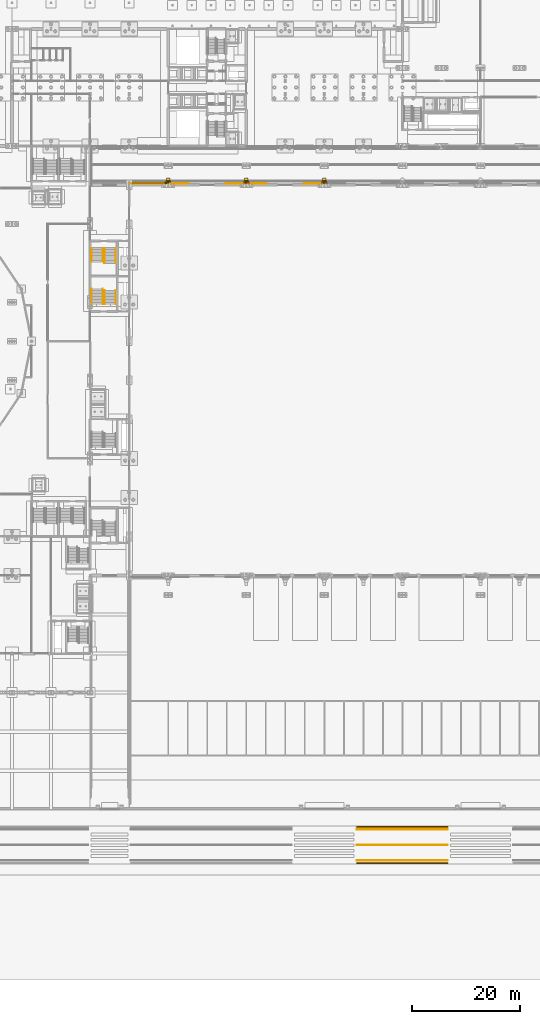
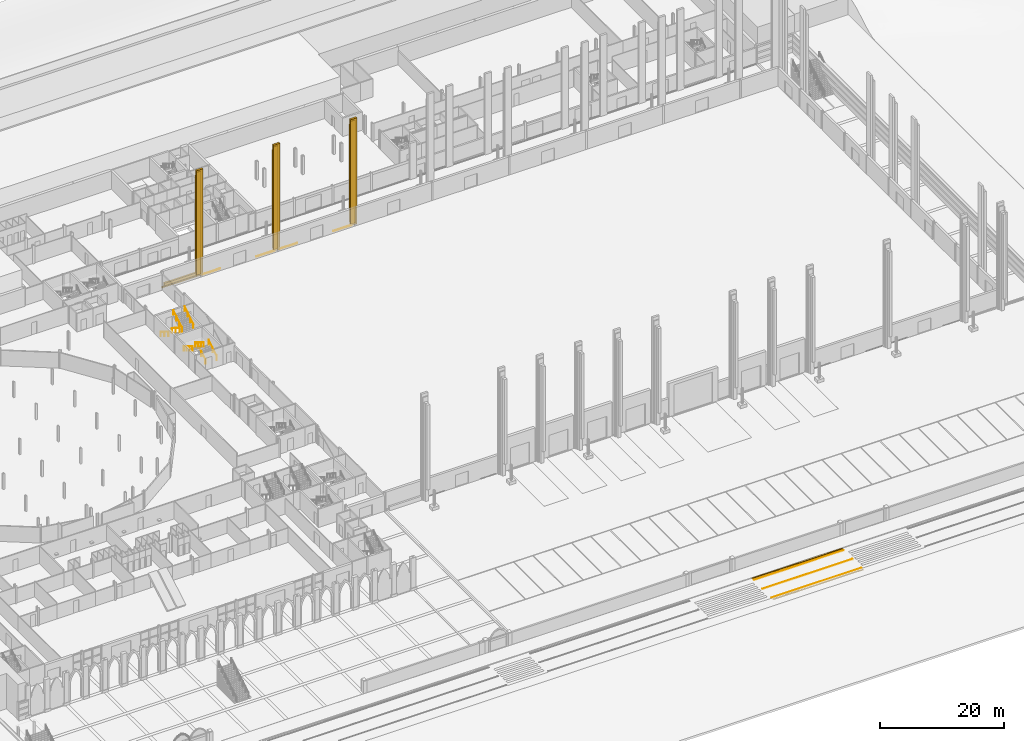
# One storey, part 127 of 148: 20 coverings, 8 railings.
"""IFC4 building model written with IfcOpenShell, lengths in metres."""

from ifc_helpers import new_model, si_unit, direction, frame, origin, origin_2d, place, context, subcontext, project, spatial, polyline, rectangle, circle, outline, extrude, material, layer, layer_set, type_object, element, save


model = new_model("IFC4")

# Units and contexts
model_context = context("Model", 3, precision=1e-05, world=origin(), true_north=direction((0.0, 1.0)))
body_context = subcontext(model_context, "Body", "Model", "MODEL_VIEW")
ifc_project = project(units=[si_unit("LENGTHUNIT", "METRE"), si_unit("AREAUNIT", "SQUARE_METRE"), si_unit("VOLUMEUNIT", "CUBIC_METRE"), si_unit("PLANEANGLEUNIT", "RADIAN"), si_unit("MASSUNIT", "GRAM", prefix="KILO")], contexts=[model_context])

# Site, building, storey
site_placement = place(None, origin())
site = spatial("IfcSite", under=ifc_project, at=site_placement, CompositionType="ELEMENT")
building_placement = place(site_placement, origin())
building = spatial("IfcBuilding", under=site, at=building_placement, Name="Kupolbacken Congress Centre", CompositionType="ELEMENT")
storey_placement = place(building_placement, origin())
storey = spatial("IfcBuildingStorey", under=building, at=storey_placement, Name="L00", CompositionType="ELEMENT", Elevation=0.0)

# Coverings
ifc_material_1 = material(Name="Brick cladding", Category="masonry")
ifc_layer_1 = layer(ifc_material_1, 0.10791015625)
ifc_layer_set_1 = layer_set([ifc_layer_1], Name="Brick cladding")
covering_type_1 = type_object("IfcCoveringType", Name="CV2 brick cladding band 108", PredefinedType="CLADDING", material=ifc_layer_set_1)
covering_1_placement = place(storey_placement, frame((90.0, 115.464111328125, 0.0), z_axis=(0.0, 0.0, 1.0), x_axis=(-1.0, 0.0, 0.0)))
element("IfcCovering", 1, at=covering_1_placement, inside=storey, type_object=covering_type_1, Name="E/H/N/L00/067/band", PredefinedType="CLADDING", context=body_context, shape_type="SweptSolid", body=[
    extrude(rectangle(XDim=6.89990234375, YDim=0.10791015625, at=origin_2d()), origin(), (0.0, 0.0, 1.0), 0.300048828125),
])
ifc_material_2 = material(Name="Limestone cladding", Category="masonry")
ifc_layer_2 = layer(ifc_material_2, 0.35009765625)
ifc_layer_set_2 = layer_set([ifc_layer_2], Name="Limestone cladding")
covering_type_2 = type_object("IfcCoveringType", Name="CV3 limestone pilaster strip 350", PredefinedType="CLADDING", material=ifc_layer_set_2)
for number, where, z_axis, x_axis, name in (
    (2, (93.60009765625, 115.590087890625, 0.0), (0.0, 0.0, 1.0), (1.0, 0.0, 0.0), "F/H/N/pil/01/0"),
    (3, (108.0, 115.590087890625, 0.0), (0.0, 0.0, 1.0), (1.0, 0.0, 0.0), "F/H/N/pil/03/0"),
    (4, (122.39990234375, 115.590087890625, 0.0), (0.0, 0.0, 1.0), (1.0, 0.0, 0.0), "F/H/N/pil/05/0"),
):
    element("IfcCovering", number, at=place(storey_placement, frame(where, z_axis=z_axis, x_axis=x_axis)), inside=storey, type_object=covering_type_2, Name=name, PredefinedType="CLADDING", context=body_context, shape_type="SweptSolid", body=[
        extrude(rectangle(XDim=1.199951171875, YDim=0.340087890625, at=origin_2d()), origin(), (0.0, 0.0, 1.0), 20.93505859375),
    ])
covering_2_placement = place(storey_placement, frame((90.0, 115.5849609375, 0.0), z_axis=(0.0, 0.0, 1.0), x_axis=(1.0, 0.0, 0.0)))
element("IfcCovering", 5, at=covering_2_placement, inside=storey, type_object=covering_type_2, Name="F/HR/H/N/plinth/00", PredefinedType="CLADDING", context=body_context, shape_type="SweptSolid", body=[
    extrude(rectangle(XDim=6.0, YDim=0.35009765625, at=origin_2d()), origin(), (0.0, 0.0, 1.0), 0.800048828125),
])
ifc_material_3 = material(Name="Limestone cladding", Category="masonry")
ifc_layer_3 = layer(ifc_material_3, 0.5)
ifc_layer_set_3 = layer_set([ifc_layer_3], Name="Limestone cladding")
covering_type_3 = type_object("IfcCoveringType", Name="CV8 limestone drum pier 500", PredefinedType="CLADDING", material=ifc_layer_set_3)
for number, where, z_axis, x_axis, name in (
    (6, (93.60009765625, 116.2099609375, 0.0), (0.0, 0.0, 1.0), (1.0, 0.0, 0.0), "F/HR/H/N/butt/01-0/0"),
    (7, (108.0, 116.2099609375, 0.0), (0.0, 0.0, 1.0), (1.0, 0.0, 0.0), "F/HR/H/N/butt/03-0/0"),
    (8, (122.39990234375, 116.2099609375, 0.0), (0.0, 0.0, 1.0), (1.0, 0.0, 0.0), "F/HR/H/N/butt/05-0/0"),
):
    element("IfcCovering", number, at=place(storey_placement, frame(where, z_axis=z_axis, x_axis=x_axis)), inside=storey, type_object=covering_type_3, Name=name, PredefinedType="CLADDING", context=body_context, shape_type="SweptSolid", body=[
        extrude(rectangle(XDim=0.60009765625, YDim=0.5, at=origin_2d()), origin(), (0.0, 0.0, 1.0), 19.385009765625),
    ])
ifc_material_4 = material(Name="Limestone cladding", Category="masonry")
ifc_layer_4 = layer(ifc_material_4, 0.199951171875)
ifc_layer_set_4 = layer_set([ifc_layer_4], Name="Limestone cladding")
covering_type_4 = type_object("IfcCoveringType", Name="CV9 limestone drum arch frame 200", PredefinedType="CLADDING", material=ifc_layer_set_4)
for number, where, z_axis, x_axis, name in (
    (9, (93.60009765625, 115.860107421875, 0.0), (0.0, 0.0, 1.0), (1.0, 0.0, 0.0), "F/HR/H/N/rib/01-0/0"),
    (10, (108.0, 115.860107421875, 0.0), (0.0, 0.0, 1.0), (1.0, 0.0, 0.0), "F/HR/H/N/rib/03-0/0"),
    (11, (122.39990234375, 115.860107421875, 0.0), (0.0, 0.0, 1.0), (1.0, 0.0, 0.0), "F/HR/H/N/rib/05-0/0"),
):
    element("IfcCovering", number, at=place(storey_placement, frame(where, z_axis=z_axis, x_axis=x_axis)), inside=storey, type_object=covering_type_4, Name=name, PredefinedType="CLADDING", context=body_context, shape_type="SweptSolid", body=[
        extrude(rectangle(XDim=0.89990234375, YDim=0.199951171875, at=origin_2d()), origin(), (0.0, 0.0, 1.0), 20.3349609375),
    ])
ifc_material_5 = material(Name="Limestone cladding", Category="masonry")
ifc_layer_5 = layer(ifc_material_5, 0.02001953125)
ifc_layer_set_5 = layer_set([ifc_layer_5], Name="Limestone cladding")
covering_type_5 = type_object("IfcCoveringType", Name="GF1 limestone paving 20", PredefinedType="FLOORING", material=ifc_layer_set_5)
covering_3_placement = place(storey_placement, frame((0.0, 0.0, -0.14990234375)))
element("IfcCovering", 12, at=covering_3_placement, inside=storey, type_object=covering_type_5, Name="Street edge line", PredefinedType="FLOORING", context=body_context, shape_type="SweptSolid", body=[
    extrude(outline(polyline([(128.39990234375, -9.449951171875), (128.39990234375, -9.300048828125), (145.199951171875, -9.300048828125), (145.199951171875, -9.449951171875), (128.39990234375, -9.449951171875)])), origin(), (0.0, 0.0, 1.0), 0.02001953125),
])
covering_4_placement = place(storey_placement, frame((0.0, 0.0, -0.14990234375)))
element("IfcCovering", 13, at=covering_4_placement, inside=storey, type_object=covering_type_5, Name="Street edge line", PredefinedType="FLOORING", context=body_context, shape_type="SweptSolid", body=[
    extrude(outline(polyline([(128.39990234375, -3.699951171875), (128.39990234375, -3.550048828125), (145.199951171875, -3.550048828125), (145.199951171875, -3.699951171875), (128.39990234375, -3.699951171875)])), origin(), (0.0, 0.0, 1.0), 0.02001953125),
])
covering_5_placement = place(storey_placement, frame((0.0, 0.0, -0.14990234375)))
element("IfcCovering", 14, at=covering_5_placement, inside=storey, type_object=covering_type_5, Name="Street centre line", PredefinedType="FLOORING", context=body_context, shape_type="SweptSolid", body=[
    extrude(outline(polyline([(128.39990234375, -6.574951171875), (128.39990234375, -6.425048828125), (145.199951171875, -6.425048828125), (145.199951171875, -6.574951171875), (128.39990234375, -6.574951171875)])), origin(), (0.0, 0.0, 1.0), 0.02001953125),
])
ifc_material_6 = material(Name="Granite setts", Category="masonry")
ifc_layer_6 = layer(ifc_material_6, 0.10009765625)
ifc_layer_set_6 = layer_set([ifc_layer_6], Name="Granite setts")
covering_type_6 = type_object("IfcCoveringType", Name="GR3 granite sett paving 100", PredefinedType="FLOORING", material=ifc_layer_set_6)
covering_6_placement = place(storey_placement, origin())
element("IfcCovering", 15, at=covering_6_placement, inside=storey, type_object=covering_type_6, Name="Granite kerb edging", PredefinedType="FLOORING", context=body_context, shape_type="SweptSolid", body=[
    extrude(outline(polyline([(94.01513671875, 115.43994140625), (93.9990234375, 115.466796875), (93.97412109375, 115.50048828125), (97.414794921875, 115.50048828125), (97.411865234375, 115.43994140625), (94.01513671875, 115.43994140625)])), origin(), (0.0, 0.0, 1.0), 0.10009765625),
])
covering_7_placement = place(storey_placement, origin())
element("IfcCovering", 16, at=covering_7_placement, inside=storey, type_object=covering_type_6, Name="Granite kerb edging", PredefinedType="FLOORING", context=body_context, shape_type="SweptSolid", body=[
    extrude(outline(polyline([(104.188232421875, 115.43994140625), (104.185302734375, 115.50048828125), (107.6259765625, 115.50048828125), (107.600830078125, 115.466796875), (107.5849609375, 115.43994140625), (104.188232421875, 115.43994140625)])), origin(), (0.0, 0.0, 1.0), 0.10009765625),
])
covering_8_placement = place(storey_placement, origin())
element("IfcCovering", 17, at=covering_8_placement, inside=storey, type_object=covering_type_6, Name="Granite kerb edging", PredefinedType="FLOORING", context=body_context, shape_type="SweptSolid", body=[
    extrude(outline(polyline([(108.399169921875, 115.466796875), (108.3740234375, 115.50048828125), (111.814697265625, 115.50048828125), (111.811767578125, 115.43994140625), (108.4150390625, 115.43994140625), (108.399169921875, 115.466796875)])), origin(), (0.0, 0.0, 1.0), 0.10009765625),
])
covering_9_placement = place(storey_placement, origin())
element("IfcCovering", 18, at=covering_9_placement, inside=storey, type_object=covering_type_6, Name="Granite kerb edging", PredefinedType="FLOORING", context=body_context, shape_type="SweptSolid", body=[
    extrude(outline(polyline([(121.98486328125, 115.43994140625), (118.588134765625, 115.43994140625), (118.585205078125, 115.50048828125), (122.02587890625, 115.50048828125), (122.0009765625, 115.466796875), (121.98486328125, 115.43994140625)])), origin(), (0.0, 0.0, 1.0), 0.10009765625),
])
covering_10_placement = place(storey_placement, frame((0.0, 0.0, -0.14990234375)))
element("IfcCovering", 19, at=covering_10_placement, inside=storey, type_object=covering_type_6, Name="Street granite kerb", PredefinedType="FLOORING", context=body_context, shape_type="SweptSolid", body=[
    extrude(outline(polyline([(128.39990234375, -9.998046875), (128.39990234375, -9.75), (145.199951171875, -9.75), (145.199951171875, -9.998046875), (128.39990234375, -9.998046875)])), origin(), (0.0, 0.0, 1.0), 0.099853515625),
])
covering_11_placement = place(storey_placement, frame((0.0, 0.0, -0.14990234375)))
element("IfcCovering", 20, at=covering_11_placement, inside=storey, type_object=covering_type_6, Name="Street granite kerb", PredefinedType="FLOORING", context=body_context, shape_type="SweptSolid", body=[
    extrude(outline(polyline([(145.199951171875, -3.001953125), (145.199951171875, -3.25), (128.39990234375, -3.25), (128.39990234375, -3.001953125), (145.199951171875, -3.001953125)])), origin(), (0.0, 0.0, 1.0), 0.099853515625),
])

# Railings
ifc_material_7 = material(Name="Steel S235", Category="steel")
railing_type = type_object("IfcRailingType", Name="RL3 handrail wall-mounted 900", PredefinedType="HANDRAIL", material=ifc_material_7)
for number, where, name in (
    (21, (81.85009765625, 93.2548828125, 0.17138671875), "C/stair/LS4/L00/HR1L"),
    (22, (83.949951171875, 93.2548828125, 0.17138671875), "C/stair/LS4/L00/HR1R"),
):
    element("IfcRailing", number, at=place(storey_placement, frame(where)), inside=storey, type_object=railing_type, Name=name, PredefinedType="HANDRAIL", context=body_context, shape_type="SweptSolid", body=[
        extrude(circle(Radius=0.02392578125, at=origin_2d()), frame((0.0, 0.0, 0.8759765625), z_axis=(0.0, 0.852836285881, 0.522178388565), x_axis=(-1.0, 0.0, 0.0)), (0.0, 0.0, 1.0), 2.954833984375),
        extrude(circle(Radius=0.02099609375, at=origin_2d()), origin(), (0.0, 0.0, 1.0), 0.851806640625),
        extrude(circle(Radius=0.02099609375, at=origin_2d()), frame((0.0, 1.260009765625, 0.771484375)), (0.0, 0.0, 1.0), 0.851806640625),
        extrude(circle(Radius=0.02099609375, at=origin_2d()), frame((0.0, 2.52001953125, 1.54296875)), (0.0, 0.0, 1.0), 0.851806640625),
    ])
for number, where, name in (
    (23, (81.550048828125, 96.054931640625, 1.8857421875), "C/stair/LS4/L00/HR2L"),
    (24, (79.449951171875, 96.054931640625, 1.8857421875), "C/stair/LS4/L00/HR2R"),
):
    element("IfcRailing", number, at=place(storey_placement, frame(where)), inside=storey, type_object=railing_type, Name=name, PredefinedType="HANDRAIL", context=body_context, shape_type="SweptSolid", body=[
        extrude(circle(Radius=0.02392578125, at=origin_2d()), frame((0.0, 0.0, 0.8759765625), z_axis=(0.0, -0.852845897599, 0.522162690116), x_axis=(1.0, 0.0, 0.0)), (0.0, 0.0, 1.0), 3.283203125),
        extrude(circle(Radius=0.02099609375, at=origin_2d()), origin(), (0.0, 0.0, 1.0), 0.851806640625),
        extrude(circle(Radius=0.02099609375, at=origin_2d()), frame((0.0, -0.933349609375, 0.571533203125)), (0.0, 0.0, 1.0), 0.851806640625),
        extrude(circle(Radius=0.02099609375, at=origin_2d()), frame((0.0, -1.86669921875, 1.142822265625)), (0.0, 0.0, 1.0), 0.851806640625),
        extrude(circle(Radius=0.02099609375, at=origin_2d()), frame((0.0, -2.800048828125, 1.71435546875)), (0.0, 0.0, 1.0), 0.851806640625),
    ])
for number, where, name in (
    (25, (81.550048828125, 103.570068359375, 0.17138671875), "C/stair/LS2/L00/HR1L"),
    (26, (79.449951171875, 103.570068359375, 0.17138671875), "C/stair/LS2/L00/HR1R"),
):
    element("IfcRailing", number, at=place(storey_placement, frame(where)), inside=storey, type_object=railing_type, Name=name, PredefinedType="HANDRAIL", context=body_context, shape_type="SweptSolid", body=[
        extrude(circle(Radius=0.02392578125, at=origin_2d()), frame((0.0, 0.0, 0.8759765625), z_axis=(0.0, -0.852836285881, 0.522178388565), x_axis=(1.0, 0.0, 0.0)), (0.0, 0.0, 1.0), 2.954833984375),
        extrude(circle(Radius=0.02099609375, at=origin_2d()), origin(), (0.0, 0.0, 1.0), 0.851806640625),
        extrude(circle(Radius=0.02099609375, at=origin_2d()), frame((0.0, -1.260009765625, 0.771484375)), (0.0, 0.0, 1.0), 0.851806640625),
        extrude(circle(Radius=0.02099609375, at=origin_2d()), frame((0.0, -2.52001953125, 1.54296875)), (0.0, 0.0, 1.0), 0.851806640625),
    ])
for number, where, name in (
    (27, (81.85009765625, 100.77001953125, 1.8857421875), "C/stair/LS2/L00/HR2L"),
    (28, (83.949951171875, 100.77001953125, 1.8857421875), "C/stair/LS2/L00/HR2R"),
):
    element("IfcRailing", number, at=place(storey_placement, frame(where)), inside=storey, type_object=railing_type, Name=name, PredefinedType="HANDRAIL", context=body_context, shape_type="SweptSolid", body=[
        extrude(circle(Radius=0.02392578125, at=origin_2d()), frame((0.0, 0.0, 0.8759765625), z_axis=(0.0, 0.852845897599, 0.522162690116), x_axis=(-1.0, 0.0, 0.0)), (0.0, 0.0, 1.0), 3.283203125),
        extrude(circle(Radius=0.02099609375, at=origin_2d()), origin(), (0.0, 0.0, 1.0), 0.851806640625),
        extrude(circle(Radius=0.02099609375, at=origin_2d()), frame((0.0, 0.933349609375, 0.571533203125)), (0.0, 0.0, 1.0), 0.851806640625),
        extrude(circle(Radius=0.02099609375, at=origin_2d()), frame((0.0, 1.86669921875, 1.142822265625)), (0.0, 0.0, 1.0), 0.851806640625),
        extrude(circle(Radius=0.02099609375, at=origin_2d()), frame((0.0, 2.800048828125, 1.71435546875)), (0.0, 0.0, 1.0), 0.851806640625),
    ])

save(model, "model.ifc")
